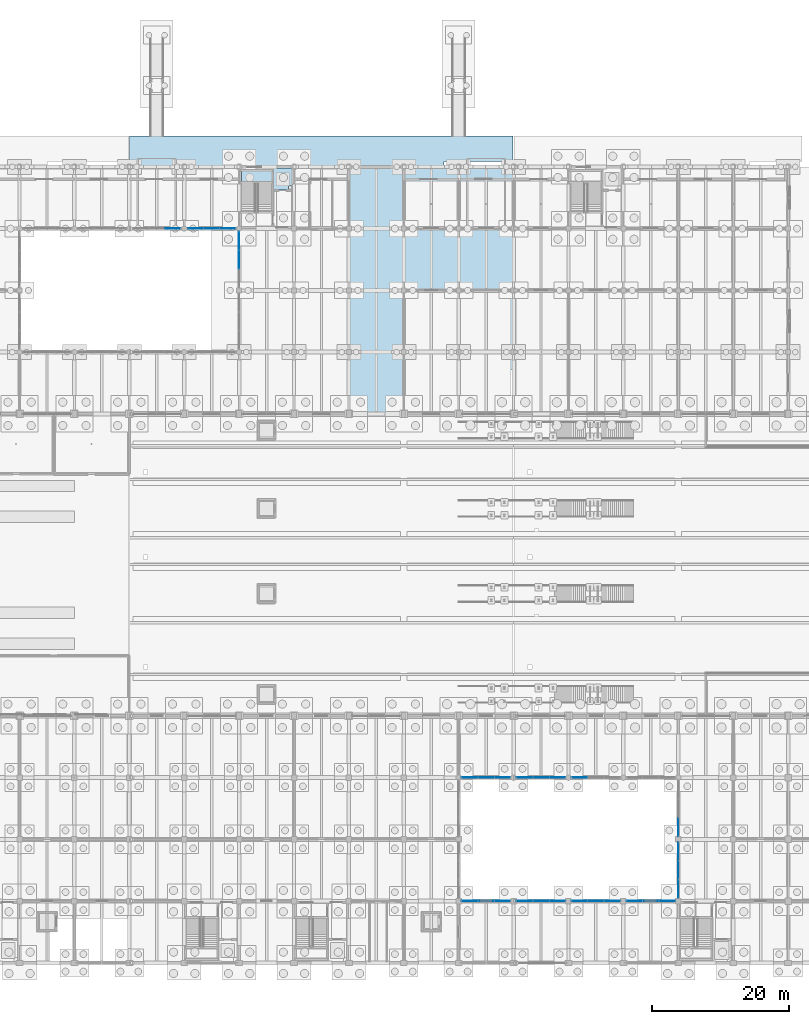
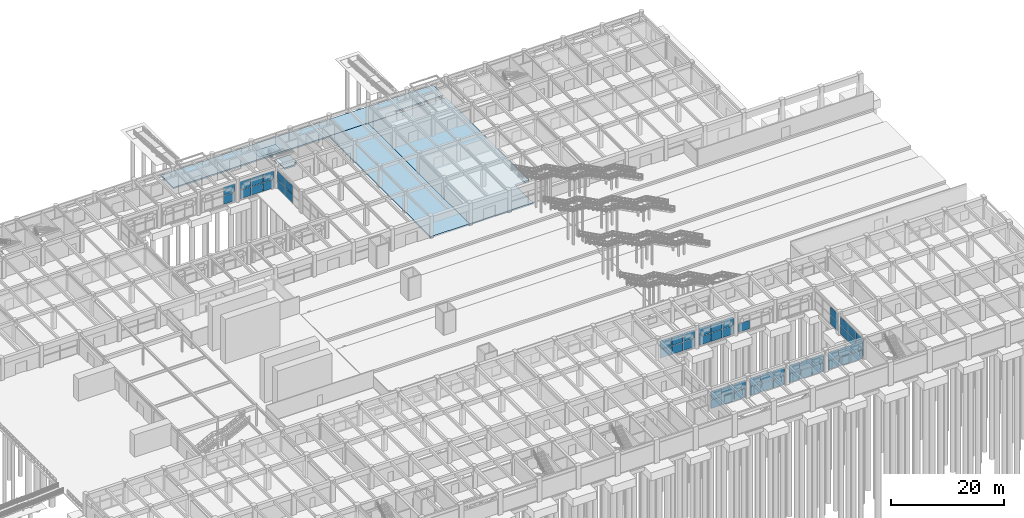
# One storey, part 94 of 147: 57 plates, 5 slabs, 13 elements without a shape of their own.
"""IFC4 building model written with IfcOpenShell, lengths in metres."""

from ifc_helpers import new_model, si_unit, direction, frame, origin, origin_2d, place, context, subcontext, project, spatial, polyline, rectangle, outline, extrude, material, layer, layer_set, type_object, element, aggregate, save


model = new_model("IFC4")

# Units and contexts
model_context = context("Model", 3, precision=1e-05, world=origin(), true_north=direction((0.0, 1.0)))
body_context = subcontext(model_context, "Body", "Model", "MODEL_VIEW")
ifc_project = project(units=[si_unit("LENGTHUNIT", "METRE"), si_unit("AREAUNIT", "SQUARE_METRE"), si_unit("VOLUMEUNIT", "CUBIC_METRE"), si_unit("PLANEANGLEUNIT", "RADIAN"), si_unit("MASSUNIT", "GRAM", prefix="KILO")], contexts=[model_context])

# Site, building, storey
site_placement = place(None, origin())
site = spatial("IfcSite", under=ifc_project, at=site_placement, CompositionType="ELEMENT")
building_placement = place(site_placement, origin())
building = spatial("IfcBuilding", under=site, at=building_placement, Name="Varnabhumi Central Station", CompositionType="ELEMENT")
storey_placement = place(building_placement, origin())
storey = spatial("IfcBuildingStorey", under=building, at=storey_placement, Name="L00", CompositionType="ELEMENT", Elevation=0.0)

# Curtain wall, plates
ifc_material_1 = material(Name="Anodised aluminium 6063-T6", Category="aluminium")
curtain_wall_type = type_object("IfcCurtainWallType", Name="CW-PATIO-LOGGIA-L0", PredefinedType="NOTDEFINED", material=ifc_material_1)
curtain_wall_1_placement = place(storey_placement, origin())
curtain_wall_1 = element("IfcCurtainWall", 1, at=curtain_wall_1_placement, inside=storey, type_object=curtain_wall_type, Name="Curtain Wall CW-NP0W2", PredefinedType="NOTDEFINED")
ifc_material_2 = material(Name="Laminated low-E double glazing", Category="glass")
ifc_layer_1 = layer(ifc_material_2, 0.035888671875, Name="Laminated low-E double glazing", Category="glass")
ifc_layer_set_1 = layer_set([ifc_layer_1], Name="Laminated low-E double glazing")
plate_type_1 = type_object("IfcPlateType", Name="CW-PNL-GLZ-2", PredefinedType="CURTAIN_PANEL", material=ifc_layer_set_1)
plate_1_placement = place(storey_placement, frame((80.0, 102.5, 0.0400390625), z_axis=(0.0, 0.0, 1.0), x_axis=(0.0, 1.0, 0.0)))
plate_1 = element("IfcPlate", 2, at=plate_1_placement, type_object=plate_type_1, Name="Glazed Panel CW-NP0W2-P21", PredefinedType="CURTAIN_PANEL", context=body_context, shape_type="SweptSolid", body=[
    extrude(rectangle(XDim=2.639892578125, YDim=0.035888671875, at=origin_2d()), origin(), (0.0, 0.0, 1.0), 1.840087890625),
])
plate_2_placement = place(storey_placement, frame((80.0, 102.5, 1.9599609375), z_axis=(0.0, 0.0, 1.0), x_axis=(0.0, 1.0, 0.0)))
plate_2 = element("IfcPlate", 3, at=plate_2_placement, type_object=plate_type_1, Name="Glazed Panel CW-NP0W2-P22", PredefinedType="CURTAIN_PANEL", context=body_context, shape_type="SweptSolid", body=[
    extrude(rectangle(XDim=2.639892578125, YDim=0.035888671875, at=origin_2d()), origin(), (0.0, 0.0, 1.0), 1.840087890625),
])
plate_3_placement = place(storey_placement, frame((80.0, 105.219970703125, 0.0400390625), z_axis=(0.0, 0.0, 1.0), x_axis=(0.0, 1.0, 0.0)))
plate_3 = element("IfcPlate", 4, at=plate_3_placement, type_object=plate_type_1, Name="Glazed Panel CW-NP0W2-P31", PredefinedType="CURTAIN_PANEL", context=body_context, shape_type="SweptSolid", body=[
    extrude(rectangle(XDim=2.639892578125, YDim=0.035888671875, at=origin_2d()), origin(), (0.0, 0.0, 1.0), 1.840087890625),
])
plate_4_placement = place(storey_placement, frame((80.0, 105.219970703125, 1.9599609375), z_axis=(0.0, 0.0, 1.0), x_axis=(0.0, 1.0, 0.0)))
plate_4 = element("IfcPlate", 5, at=plate_4_placement, type_object=plate_type_1, Name="Glazed Panel CW-NP0W2-P32", PredefinedType="CURTAIN_PANEL", context=body_context, shape_type="SweptSolid", body=[
    extrude(rectangle(XDim=2.639892578125, YDim=0.035888671875, at=origin_2d()), origin(), (0.0, 0.0, 1.0), 1.840087890625),
])
aggregate(curtain_wall_1, [plate_1, plate_2, plate_3, plate_4])

curtain_wall_2_placement = place(storey_placement, origin())
curtain_wall_2 = element("IfcCurtainWall", 6, at=curtain_wall_2_placement, inside=storey, type_object=curtain_wall_type, Name="Curtain Wall CW-NP0N3", PredefinedType="NOTDEFINED")
ifc_layer_2 = layer(ifc_material_2, 0.035888671875, Name="Laminated low-E double glazing", Category="glass")
ifc_layer_set_2 = layer_set([ifc_layer_2], Name="Laminated low-E double glazing")
plate_type_2 = type_object("IfcPlateType", Name="CW-PNL-GLZ-3", PredefinedType="CURTAIN_PANEL", material=ifc_layer_set_2)
plate_5_placement = place(storey_placement, frame((70.320068359375, 107.0, 0.0400390625), z_axis=(0.0, 0.0, 1.0), x_axis=(1.0, 0.0, 0.0)))
plate_5 = element("IfcPlate", 7, at=plate_5_placement, type_object=plate_type_2, Name="Glazed Panel CW-NP0N3-P31", PredefinedType="CURTAIN_PANEL", context=body_context, shape_type="SweptSolid", body=[
    extrude(rectangle(XDim=2.239990234375, YDim=0.035888671875, at=origin_2d()), origin(), (0.0, 0.0, 1.0), 1.840087890625),
])
plate_6_placement = place(storey_placement, frame((70.320068359375, 107.0, 1.9599609375), z_axis=(0.0, 0.0, 1.0), x_axis=(1.0, 0.0, 0.0)))
plate_6 = element("IfcPlate", 8, at=plate_6_placement, type_object=plate_type_2, Name="Glazed Panel CW-NP0N3-P32", PredefinedType="CURTAIN_PANEL", context=body_context, shape_type="SweptSolid", body=[
    extrude(rectangle(XDim=2.239990234375, YDim=0.035888671875, at=origin_2d()), origin(), (0.0, 0.0, 1.0), 1.840087890625),
])
aggregate(curtain_wall_2, [plate_5, plate_6])

curtain_wall_3_placement = place(storey_placement, origin())
curtain_wall_3 = element("IfcCurtainWall", 9, at=curtain_wall_3_placement, inside=storey, type_object=curtain_wall_type, Name="Curtain Wall CW-SP0W1", PredefinedType="NOTDEFINED")
plate_7_placement = place(storey_placement, frame((144.0, 10.780029296875, 0.0400390625), z_axis=(0.0, 0.0, 1.0), x_axis=(0.0, 1.0, 0.0)))
plate_7 = element("IfcPlate", 10, at=plate_7_placement, type_object=plate_type_2, Name="Glazed Panel CW-SP0W1-P11", PredefinedType="CURTAIN_PANEL", context=body_context, shape_type="SweptSolid", body=[
    extrude(rectangle(XDim=2.639892578125, YDim=0.035888671875, at=origin_2d()), origin(), (0.0, 0.0, 1.0), 1.840087890625),
])
plate_8_placement = place(storey_placement, frame((144.0, 10.780029296875, 1.9599609375), z_axis=(0.0, 0.0, 1.0), x_axis=(0.0, 1.0, 0.0)))
plate_8 = element("IfcPlate", 11, at=plate_8_placement, type_object=plate_type_2, Name="Glazed Panel CW-SP0W1-P12", PredefinedType="CURTAIN_PANEL", context=body_context, shape_type="SweptSolid", body=[
    extrude(rectangle(XDim=2.639892578125, YDim=0.035888671875, at=origin_2d()), origin(), (0.0, 0.0, 1.0), 1.840087890625),
])
plate_9_placement = place(storey_placement, frame((144.0, 13.5, 0.0400390625), z_axis=(0.0, 0.0, 1.0), x_axis=(0.0, 1.0, 0.0)))
plate_9 = element("IfcPlate", 12, at=plate_9_placement, type_object=plate_type_2, Name="Glazed Panel CW-SP0W1-P21", PredefinedType="CURTAIN_PANEL", context=body_context, shape_type="SweptSolid", body=[
    extrude(rectangle(XDim=2.639892578125, YDim=0.035888671875, at=origin_2d()), origin(), (0.0, 0.0, 1.0), 1.840087890625),
])
plate_10_placement = place(storey_placement, frame((144.0, 13.5, 1.9599609375), z_axis=(0.0, 0.0, 1.0), x_axis=(0.0, 1.0, 0.0)))
plate_10 = element("IfcPlate", 13, at=plate_10_placement, type_object=plate_type_2, Name="Glazed Panel CW-SP0W1-P22", PredefinedType="CURTAIN_PANEL", context=body_context, shape_type="SweptSolid", body=[
    extrude(rectangle(XDim=2.639892578125, YDim=0.035888671875, at=origin_2d()), origin(), (0.0, 0.0, 1.0), 1.840087890625),
])
plate_11_placement = place(storey_placement, frame((144.0, 16.219970703125, 0.0400390625), z_axis=(0.0, 0.0, 1.0), x_axis=(0.0, 1.0, 0.0)))
plate_11 = element("IfcPlate", 14, at=plate_11_placement, type_object=plate_type_2, Name="Glazed Panel CW-SP0W1-P31", PredefinedType="CURTAIN_PANEL", context=body_context, shape_type="SweptSolid", body=[
    extrude(rectangle(XDim=2.639892578125, YDim=0.035888671875, at=origin_2d()), origin(), (0.0, 0.0, 1.0), 1.840087890625),
])
plate_12_placement = place(storey_placement, frame((144.0, 16.219970703125, 1.9599609375), z_axis=(0.0, 0.0, 1.0), x_axis=(0.0, 1.0, 0.0)))
plate_12 = element("IfcPlate", 15, at=plate_12_placement, type_object=plate_type_2, Name="Glazed Panel CW-SP0W1-P32", PredefinedType="CURTAIN_PANEL", context=body_context, shape_type="SweptSolid", body=[
    extrude(rectangle(XDim=2.639892578125, YDim=0.035888671875, at=origin_2d()), origin(), (0.0, 0.0, 1.0), 1.840087890625),
])
aggregate(curtain_wall_3, [plate_7, plate_8, plate_9, plate_10, plate_11, plate_12])

curtain_wall_4_placement = place(storey_placement, origin())
curtain_wall_4 = element("IfcCurtainWall", 16, at=curtain_wall_4_placement, inside=storey, type_object=curtain_wall_type, Name="Curtain Wall CW-SP0W2", PredefinedType="NOTDEFINED")
plate_13_placement = place(storey_placement, frame((144.0, 19.780029296875, 0.0400390625), z_axis=(0.0, 0.0, 1.0), x_axis=(0.0, 1.0, 0.0)))
plate_13 = element("IfcPlate", 17, at=plate_13_placement, type_object=plate_type_2, Name="Glazed Panel CW-SP0W2-P11", PredefinedType="CURTAIN_PANEL", context=body_context, shape_type="SweptSolid", body=[
    extrude(rectangle(XDim=2.639892578125, YDim=0.035888671875, at=origin_2d()), origin(), (0.0, 0.0, 1.0), 1.840087890625),
])
plate_14_placement = place(storey_placement, frame((144.0, 19.780029296875, 1.9599609375), z_axis=(0.0, 0.0, 1.0), x_axis=(0.0, 1.0, 0.0)))
plate_14 = element("IfcPlate", 18, at=plate_14_placement, type_object=plate_type_2, Name="Glazed Panel CW-SP0W2-P12", PredefinedType="CURTAIN_PANEL", context=body_context, shape_type="SweptSolid", body=[
    extrude(rectangle(XDim=2.639892578125, YDim=0.035888671875, at=origin_2d()), origin(), (0.0, 0.0, 1.0), 1.840087890625),
])
aggregate(curtain_wall_4, [plate_13, plate_14])

curtain_wall_5_placement = place(storey_placement, origin())
curtain_wall_5 = element("IfcCurtainWall", 19, at=curtain_wall_5_placement, inside=storey, type_object=curtain_wall_type, Name="Curtain Wall CW-NP0N4", PredefinedType="NOTDEFINED")
ifc_layer_3 = layer(ifc_material_2, 0.035888671875, Name="Laminated low-E double glazing", Category="glass")
ifc_layer_set_3 = layer_set([ifc_layer_3], Name="Laminated low-E double glazing")
plate_type_3 = type_object("IfcPlateType", Name="CW-PNL-GLZ-4", PredefinedType="CURTAIN_PANEL", material=ifc_layer_set_3)
plate_15_placement = place(storey_placement, frame((73.679931640625, 107.0, 0.0400390625), z_axis=(0.0, 0.0, 1.0), x_axis=(1.0, 0.0, 0.0)))
plate_15 = element("IfcPlate", 20, at=plate_15_placement, type_object=plate_type_3, Name="Glazed Panel CW-NP0N4-P11", PredefinedType="CURTAIN_PANEL", context=body_context, shape_type="SweptSolid", body=[
    extrude(rectangle(XDim=2.239990234375, YDim=0.035888671875, at=origin_2d()), origin(), (0.0, 0.0, 1.0), 1.840087890625),
])
plate_16_placement = place(storey_placement, frame((73.679931640625, 107.0, 1.9599609375), z_axis=(0.0, 0.0, 1.0), x_axis=(1.0, 0.0, 0.0)))
plate_16 = element("IfcPlate", 21, at=plate_16_placement, type_object=plate_type_3, Name="Glazed Panel CW-NP0N4-P12", PredefinedType="CURTAIN_PANEL", context=body_context, shape_type="SweptSolid", body=[
    extrude(rectangle(XDim=2.239990234375, YDim=0.035888671875, at=origin_2d()), origin(), (0.0, 0.0, 1.0), 1.840087890625),
])
plate_17_placement = place(storey_placement, frame((76.0, 107.0, 0.0400390625), z_axis=(0.0, 0.0, 1.0), x_axis=(1.0, 0.0, 0.0)))
plate_17 = element("IfcPlate", 22, at=plate_17_placement, type_object=plate_type_3, Name="Glazed Panel CW-NP0N4-P21", PredefinedType="CURTAIN_PANEL", context=body_context, shape_type="SweptSolid", body=[
    extrude(rectangle(XDim=2.239990234375, YDim=0.035888671875, at=origin_2d()), origin(), (0.0, 0.0, 1.0), 1.840087890625),
])
plate_18_placement = place(storey_placement, frame((76.0, 107.0, 1.9599609375), z_axis=(0.0, 0.0, 1.0), x_axis=(1.0, 0.0, 0.0)))
plate_18 = element("IfcPlate", 23, at=plate_18_placement, type_object=plate_type_3, Name="Glazed Panel CW-NP0N4-P22", PredefinedType="CURTAIN_PANEL", context=body_context, shape_type="SweptSolid", body=[
    extrude(rectangle(XDim=2.239990234375, YDim=0.035888671875, at=origin_2d()), origin(), (0.0, 0.0, 1.0), 1.840087890625),
])
plate_19_placement = place(storey_placement, frame((78.320068359375, 107.0, 0.0400390625), z_axis=(0.0, 0.0, 1.0), x_axis=(1.0, 0.0, 0.0)))
plate_19 = element("IfcPlate", 24, at=plate_19_placement, type_object=plate_type_3, Name="Glazed Panel CW-NP0N4-P31", PredefinedType="CURTAIN_PANEL", context=body_context, shape_type="SweptSolid", body=[
    extrude(rectangle(XDim=2.239990234375, YDim=0.035888671875, at=origin_2d()), origin(), (0.0, 0.0, 1.0), 1.840087890625),
])
plate_20_placement = place(storey_placement, frame((78.320068359375, 107.0, 1.9599609375), z_axis=(0.0, 0.0, 1.0), x_axis=(1.0, 0.0, 0.0)))
plate_20 = element("IfcPlate", 25, at=plate_20_placement, type_object=plate_type_3, Name="Glazed Panel CW-NP0N4-P32", PredefinedType="CURTAIN_PANEL", context=body_context, shape_type="SweptSolid", body=[
    extrude(rectangle(XDim=2.239990234375, YDim=0.035888671875, at=origin_2d()), origin(), (0.0, 0.0, 1.0), 1.840087890625),
])
aggregate(curtain_wall_5, [plate_15, plate_16, plate_17, plate_18, plate_19, plate_20])

curtain_wall_6_placement = place(storey_placement, origin())
curtain_wall_6 = element("IfcCurtainWall", 26, at=curtain_wall_6_placement, inside=storey, type_object=curtain_wall_type, Name="Curtain Wall CW-SP0S1", PredefinedType="NOTDEFINED")
plate_21_placement = place(storey_placement, frame((113.61328125, 9.0, 0.0400390625), z_axis=(0.0, 0.0, 1.0), x_axis=(1.0, 0.0, 0.0)))
plate_21 = element("IfcPlate", 27, at=plate_21_placement, type_object=plate_type_3, Name="Glazed Panel CW-SP0S1-P11", PredefinedType="CURTAIN_PANEL", context=body_context, shape_type="SweptSolid", body=[
    extrude(rectangle(XDim=2.306640625, YDim=0.035888671875, at=origin_2d()), origin(), (0.0, 0.0, 1.0), 1.840087890625),
])
plate_22_placement = place(storey_placement, frame((113.61328125, 9.0, 1.9599609375), z_axis=(0.0, 0.0, 1.0), x_axis=(1.0, 0.0, 0.0)))
plate_22 = element("IfcPlate", 28, at=plate_22_placement, type_object=plate_type_3, Name="Glazed Panel CW-SP0S1-P12", PredefinedType="CURTAIN_PANEL", context=body_context, shape_type="SweptSolid", body=[
    extrude(rectangle(XDim=2.306640625, YDim=0.035888671875, at=origin_2d()), origin(), (0.0, 0.0, 1.0), 1.840087890625),
])
plate_23_placement = place(storey_placement, frame((116.0, 9.0, 0.0400390625), z_axis=(0.0, 0.0, 1.0), x_axis=(1.0, 0.0, 0.0)))
plate_23 = element("IfcPlate", 29, at=plate_23_placement, type_object=plate_type_3, Name="Glazed Panel CW-SP0S1-P21", PredefinedType="CURTAIN_PANEL", context=body_context, shape_type="SweptSolid", body=[
    extrude(rectangle(XDim=2.306640625, YDim=0.035888671875, at=origin_2d()), origin(), (0.0, 0.0, 1.0), 1.840087890625),
])
plate_24_placement = place(storey_placement, frame((116.0, 9.0, 1.9599609375), z_axis=(0.0, 0.0, 1.0), x_axis=(1.0, 0.0, 0.0)))
plate_24 = element("IfcPlate", 30, at=plate_24_placement, type_object=plate_type_3, Name="Glazed Panel CW-SP0S1-P22", PredefinedType="CURTAIN_PANEL", context=body_context, shape_type="SweptSolid", body=[
    extrude(rectangle(XDim=2.306640625, YDim=0.035888671875, at=origin_2d()), origin(), (0.0, 0.0, 1.0), 1.840087890625),
])
plate_25_placement = place(storey_placement, frame((118.38671875, 9.0, 0.0400390625), z_axis=(0.0, 0.0, 1.0), x_axis=(1.0, 0.0, 0.0)))
plate_25 = element("IfcPlate", 31, at=plate_25_placement, type_object=plate_type_3, Name="Glazed Panel CW-SP0S1-P31", PredefinedType="CURTAIN_PANEL", context=body_context, shape_type="SweptSolid", body=[
    extrude(rectangle(XDim=2.306640625, YDim=0.035888671875, at=origin_2d()), origin(), (0.0, 0.0, 1.0), 1.840087890625),
])
plate_26_placement = place(storey_placement, frame((118.38671875, 9.0, 1.9599609375), z_axis=(0.0, 0.0, 1.0), x_axis=(1.0, 0.0, 0.0)))
plate_26 = element("IfcPlate", 32, at=plate_26_placement, type_object=plate_type_3, Name="Glazed Panel CW-SP0S1-P32", PredefinedType="CURTAIN_PANEL", context=body_context, shape_type="SweptSolid", body=[
    extrude(rectangle(XDim=2.306640625, YDim=0.035888671875, at=origin_2d()), origin(), (0.0, 0.0, 1.0), 1.840087890625),
])
aggregate(curtain_wall_6, [plate_21, plate_22, plate_23, plate_24, plate_25, plate_26])

curtain_wall_7_placement = place(storey_placement, origin())
curtain_wall_7 = element("IfcCurtainWall", 33, at=curtain_wall_7_placement, inside=storey, type_object=curtain_wall_type, Name="Curtain Wall CW-SP0N1", PredefinedType="NOTDEFINED")
plate_27_placement = place(storey_placement, frame((113.61328125, 27.0, 0.0400390625), z_axis=(0.0, 0.0, 1.0), x_axis=(1.0, 0.0, 0.0)))
plate_27 = element("IfcPlate", 34, at=plate_27_placement, type_object=plate_type_3, Name="Glazed Panel CW-SP0N1-P11", PredefinedType="CURTAIN_PANEL", context=body_context, shape_type="SweptSolid", body=[
    extrude(rectangle(XDim=2.306640625, YDim=0.035888671875, at=origin_2d()), origin(), (0.0, 0.0, 1.0), 1.840087890625),
])
plate_28_placement = place(storey_placement, frame((113.61328125, 27.0, 1.9599609375), z_axis=(0.0, 0.0, 1.0), x_axis=(1.0, 0.0, 0.0)))
plate_28 = element("IfcPlate", 35, at=plate_28_placement, type_object=plate_type_3, Name="Glazed Panel CW-SP0N1-P12", PredefinedType="CURTAIN_PANEL", context=body_context, shape_type="SweptSolid", body=[
    extrude(rectangle(XDim=2.306640625, YDim=0.035888671875, at=origin_2d()), origin(), (0.0, 0.0, 1.0), 1.840087890625),
])
plate_29_placement = place(storey_placement, frame((116.0, 27.0, 0.0400390625), z_axis=(0.0, 0.0, 1.0), x_axis=(1.0, 0.0, 0.0)))
plate_29 = element("IfcPlate", 36, at=plate_29_placement, type_object=plate_type_3, Name="Glazed Panel CW-SP0N1-P21", PredefinedType="CURTAIN_PANEL", context=body_context, shape_type="SweptSolid", body=[
    extrude(rectangle(XDim=2.306640625, YDim=0.035888671875, at=origin_2d()), origin(), (0.0, 0.0, 1.0), 1.840087890625),
])
plate_30_placement = place(storey_placement, frame((116.0, 27.0, 1.9599609375), z_axis=(0.0, 0.0, 1.0), x_axis=(1.0, 0.0, 0.0)))
plate_30 = element("IfcPlate", 37, at=plate_30_placement, type_object=plate_type_3, Name="Glazed Panel CW-SP0N1-P22", PredefinedType="CURTAIN_PANEL", context=body_context, shape_type="SweptSolid", body=[
    extrude(rectangle(XDim=2.306640625, YDim=0.035888671875, at=origin_2d()), origin(), (0.0, 0.0, 1.0), 1.840087890625),
])
plate_31_placement = place(storey_placement, frame((118.38671875, 27.0, 0.0400390625), z_axis=(0.0, 0.0, 1.0), x_axis=(1.0, 0.0, 0.0)))
plate_31 = element("IfcPlate", 38, at=plate_31_placement, type_object=plate_type_3, Name="Glazed Panel CW-SP0N1-P31", PredefinedType="CURTAIN_PANEL", context=body_context, shape_type="SweptSolid", body=[
    extrude(rectangle(XDim=2.306640625, YDim=0.035888671875, at=origin_2d()), origin(), (0.0, 0.0, 1.0), 1.840087890625),
])
plate_32_placement = place(storey_placement, frame((118.38671875, 27.0, 1.9599609375), z_axis=(0.0, 0.0, 1.0), x_axis=(1.0, 0.0, 0.0)))
plate_32 = element("IfcPlate", 39, at=plate_32_placement, type_object=plate_type_3, Name="Glazed Panel CW-SP0N1-P32", PredefinedType="CURTAIN_PANEL", context=body_context, shape_type="SweptSolid", body=[
    extrude(rectangle(XDim=2.306640625, YDim=0.035888671875, at=origin_2d()), origin(), (0.0, 0.0, 1.0), 1.840087890625),
])
aggregate(curtain_wall_7, [plate_27, plate_28, plate_29, plate_30, plate_31, plate_32])

curtain_wall_8_placement = place(storey_placement, origin())
curtain_wall_8 = element("IfcCurtainWall", 40, at=curtain_wall_8_placement, inside=storey, type_object=curtain_wall_type, Name="Curtain Wall CW-SP0S2", PredefinedType="NOTDEFINED")
ifc_layer_4 = layer(ifc_material_2, 0.035888671875, Name="Laminated low-E double glazing", Category="glass")
ifc_layer_set_4 = layer_set([ifc_layer_4], Name="Laminated low-E double glazing")
plate_type_4 = type_object("IfcPlateType", Name="CW-PNL-GLZ-5", PredefinedType="CURTAIN_PANEL", material=ifc_layer_set_4)
plate_33_placement = place(storey_placement, frame((121.61328125, 9.0, 0.0400390625), z_axis=(0.0, 0.0, 1.0), x_axis=(1.0, 0.0, 0.0)))
plate_33 = element("IfcPlate", 41, at=plate_33_placement, type_object=plate_type_4, Name="Glazed Panel CW-SP0S2-P11", PredefinedType="CURTAIN_PANEL", context=body_context, shape_type="SweptSolid", body=[
    extrude(rectangle(XDim=2.306640625, YDim=0.035888671875, at=origin_2d()), origin(), (0.0, 0.0, 1.0), 1.840087890625),
])
plate_34_placement = place(storey_placement, frame((121.61328125, 9.0, 1.9599609375), z_axis=(0.0, 0.0, 1.0), x_axis=(1.0, 0.0, 0.0)))
plate_34 = element("IfcPlate", 42, at=plate_34_placement, type_object=plate_type_4, Name="Glazed Panel CW-SP0S2-P12", PredefinedType="CURTAIN_PANEL", context=body_context, shape_type="SweptSolid", body=[
    extrude(rectangle(XDim=2.306640625, YDim=0.035888671875, at=origin_2d()), origin(), (0.0, 0.0, 1.0), 1.840087890625),
])
plate_35_placement = place(storey_placement, frame((124.0, 9.0, 0.0400390625), z_axis=(0.0, 0.0, 1.0), x_axis=(1.0, 0.0, 0.0)))
plate_35 = element("IfcPlate", 43, at=plate_35_placement, type_object=plate_type_4, Name="Glazed Panel CW-SP0S2-P21", PredefinedType="CURTAIN_PANEL", context=body_context, shape_type="SweptSolid", body=[
    extrude(rectangle(XDim=2.306640625, YDim=0.035888671875, at=origin_2d()), origin(), (0.0, 0.0, 1.0), 1.840087890625),
])
plate_36_placement = place(storey_placement, frame((124.0, 9.0, 1.9599609375), z_axis=(0.0, 0.0, 1.0), x_axis=(1.0, 0.0, 0.0)))
plate_36 = element("IfcPlate", 44, at=plate_36_placement, type_object=plate_type_4, Name="Glazed Panel CW-SP0S2-P22", PredefinedType="CURTAIN_PANEL", context=body_context, shape_type="SweptSolid", body=[
    extrude(rectangle(XDim=2.306640625, YDim=0.035888671875, at=origin_2d()), origin(), (0.0, 0.0, 1.0), 1.840087890625),
])
plate_37_placement = place(storey_placement, frame((126.38671875, 9.0, 0.0400390625), z_axis=(0.0, 0.0, 1.0), x_axis=(1.0, 0.0, 0.0)))
plate_37 = element("IfcPlate", 45, at=plate_37_placement, type_object=plate_type_4, Name="Glazed Panel CW-SP0S2-P31", PredefinedType="CURTAIN_PANEL", context=body_context, shape_type="SweptSolid", body=[
    extrude(rectangle(XDim=2.306640625, YDim=0.035888671875, at=origin_2d()), origin(), (0.0, 0.0, 1.0), 1.840087890625),
])
plate_38_placement = place(storey_placement, frame((126.38671875, 9.0, 1.9599609375), z_axis=(0.0, 0.0, 1.0), x_axis=(1.0, 0.0, 0.0)))
plate_38 = element("IfcPlate", 46, at=plate_38_placement, type_object=plate_type_4, Name="Glazed Panel CW-SP0S2-P32", PredefinedType="CURTAIN_PANEL", context=body_context, shape_type="SweptSolid", body=[
    extrude(rectangle(XDim=2.306640625, YDim=0.035888671875, at=origin_2d()), origin(), (0.0, 0.0, 1.0), 1.840087890625),
])
aggregate(curtain_wall_8, [plate_33, plate_34, plate_35, plate_36, plate_37, plate_38])

curtain_wall_9_placement = place(storey_placement, origin())
curtain_wall_9 = element("IfcCurtainWall", 47, at=curtain_wall_9_placement, inside=storey, type_object=curtain_wall_type, Name="Curtain Wall CW-SP0N2", PredefinedType="NOTDEFINED")
plate_39_placement = place(storey_placement, frame((121.61328125, 27.0, 0.0400390625), z_axis=(0.0, 0.0, 1.0), x_axis=(1.0, 0.0, 0.0)))
plate_39 = element("IfcPlate", 48, at=plate_39_placement, type_object=plate_type_4, Name="Glazed Panel CW-SP0N2-P11", PredefinedType="CURTAIN_PANEL", context=body_context, shape_type="SweptSolid", body=[
    extrude(rectangle(XDim=2.306640625, YDim=0.035888671875, at=origin_2d()), origin(), (0.0, 0.0, 1.0), 1.840087890625),
])
plate_40_placement = place(storey_placement, frame((121.61328125, 27.0, 1.9599609375), z_axis=(0.0, 0.0, 1.0), x_axis=(1.0, 0.0, 0.0)))
plate_40 = element("IfcPlate", 49, at=plate_40_placement, type_object=plate_type_4, Name="Glazed Panel CW-SP0N2-P12", PredefinedType="CURTAIN_PANEL", context=body_context, shape_type="SweptSolid", body=[
    extrude(rectangle(XDim=2.306640625, YDim=0.035888671875, at=origin_2d()), origin(), (0.0, 0.0, 1.0), 1.840087890625),
])
plate_41_placement = place(storey_placement, frame((124.0, 27.0, 0.0400390625), z_axis=(0.0, 0.0, 1.0), x_axis=(1.0, 0.0, 0.0)))
plate_41 = element("IfcPlate", 50, at=plate_41_placement, type_object=plate_type_4, Name="Glazed Panel CW-SP0N2-P21", PredefinedType="CURTAIN_PANEL", context=body_context, shape_type="SweptSolid", body=[
    extrude(rectangle(XDim=2.306640625, YDim=0.035888671875, at=origin_2d()), origin(), (0.0, 0.0, 1.0), 1.840087890625),
])
plate_42_placement = place(storey_placement, frame((124.0, 27.0, 1.9599609375), z_axis=(0.0, 0.0, 1.0), x_axis=(1.0, 0.0, 0.0)))
plate_42 = element("IfcPlate", 51, at=plate_42_placement, type_object=plate_type_4, Name="Glazed Panel CW-SP0N2-P22", PredefinedType="CURTAIN_PANEL", context=body_context, shape_type="SweptSolid", body=[
    extrude(rectangle(XDim=2.306640625, YDim=0.035888671875, at=origin_2d()), origin(), (0.0, 0.0, 1.0), 1.840087890625),
])
plate_43_placement = place(storey_placement, frame((126.38671875, 27.0, 0.0400390625), z_axis=(0.0, 0.0, 1.0), x_axis=(1.0, 0.0, 0.0)))
plate_43 = element("IfcPlate", 52, at=plate_43_placement, type_object=plate_type_4, Name="Glazed Panel CW-SP0N2-P31", PredefinedType="CURTAIN_PANEL", context=body_context, shape_type="SweptSolid", body=[
    extrude(rectangle(XDim=2.306640625, YDim=0.035888671875, at=origin_2d()), origin(), (0.0, 0.0, 1.0), 1.840087890625),
])
plate_44_placement = place(storey_placement, frame((126.38671875, 27.0, 1.9599609375), z_axis=(0.0, 0.0, 1.0), x_axis=(1.0, 0.0, 0.0)))
plate_44 = element("IfcPlate", 53, at=plate_44_placement, type_object=plate_type_4, Name="Glazed Panel CW-SP0N2-P32", PredefinedType="CURTAIN_PANEL", context=body_context, shape_type="SweptSolid", body=[
    extrude(rectangle(XDim=2.306640625, YDim=0.035888671875, at=origin_2d()), origin(), (0.0, 0.0, 1.0), 1.840087890625),
])
aggregate(curtain_wall_9, [plate_39, plate_40, plate_41, plate_42, plate_43, plate_44])

curtain_wall_10_placement = place(storey_placement, origin())
curtain_wall_10 = element("IfcCurtainWall", 54, at=curtain_wall_10_placement, inside=storey, type_object=curtain_wall_type, Name="Curtain Wall CW-SP0S3", PredefinedType="NOTDEFINED")
ifc_layer_5 = layer(ifc_material_2, 0.035888671875, Name="Laminated low-E double glazing", Category="glass")
ifc_layer_set_5 = layer_set([ifc_layer_5], Name="Laminated low-E double glazing")
plate_type_5 = type_object("IfcPlateType", Name="CW-PNL-GLZ-6", PredefinedType="CURTAIN_PANEL", material=ifc_layer_set_5)
plate_45_placement = place(storey_placement, frame((129.61328125, 9.0, 0.0400390625), z_axis=(0.0, 0.0, 1.0), x_axis=(1.0, 0.0, 0.0)))
plate_45 = element("IfcPlate", 55, at=plate_45_placement, type_object=plate_type_5, Name="Glazed Panel CW-SP0S3-P11", PredefinedType="CURTAIN_PANEL", context=body_context, shape_type="SweptSolid", body=[
    extrude(rectangle(XDim=2.306640625, YDim=0.035888671875, at=origin_2d()), origin(), (0.0, 0.0, 1.0), 1.840087890625),
])
plate_46_placement = place(storey_placement, frame((129.61328125, 9.0, 1.9599609375), z_axis=(0.0, 0.0, 1.0), x_axis=(1.0, 0.0, 0.0)))
plate_46 = element("IfcPlate", 56, at=plate_46_placement, type_object=plate_type_5, Name="Glazed Panel CW-SP0S3-P12", PredefinedType="CURTAIN_PANEL", context=body_context, shape_type="SweptSolid", body=[
    extrude(rectangle(XDim=2.306640625, YDim=0.035888671875, at=origin_2d()), origin(), (0.0, 0.0, 1.0), 1.840087890625),
])
plate_47_placement = place(storey_placement, frame((132.0, 9.0, 0.0400390625), z_axis=(0.0, 0.0, 1.0), x_axis=(1.0, 0.0, 0.0)))
plate_47 = element("IfcPlate", 57, at=plate_47_placement, type_object=plate_type_5, Name="Glazed Panel CW-SP0S3-P21", PredefinedType="CURTAIN_PANEL", context=body_context, shape_type="SweptSolid", body=[
    extrude(rectangle(XDim=2.306640625, YDim=0.035888671875, at=origin_2d()), origin(), (0.0, 0.0, 1.0), 1.840087890625),
])
plate_48_placement = place(storey_placement, frame((132.0, 9.0, 1.9599609375), z_axis=(0.0, 0.0, 1.0), x_axis=(1.0, 0.0, 0.0)))
plate_48 = element("IfcPlate", 58, at=plate_48_placement, type_object=plate_type_5, Name="Glazed Panel CW-SP0S3-P22", PredefinedType="CURTAIN_PANEL", context=body_context, shape_type="SweptSolid", body=[
    extrude(rectangle(XDim=2.306640625, YDim=0.035888671875, at=origin_2d()), origin(), (0.0, 0.0, 1.0), 1.840087890625),
])
plate_49_placement = place(storey_placement, frame((134.38671875, 9.0, 0.0400390625), z_axis=(0.0, 0.0, 1.0), x_axis=(1.0, 0.0, 0.0)))
plate_49 = element("IfcPlate", 59, at=plate_49_placement, type_object=plate_type_5, Name="Glazed Panel CW-SP0S3-P31", PredefinedType="CURTAIN_PANEL", context=body_context, shape_type="SweptSolid", body=[
    extrude(rectangle(XDim=2.306640625, YDim=0.035888671875, at=origin_2d()), origin(), (0.0, 0.0, 1.0), 1.840087890625),
])
plate_50_placement = place(storey_placement, frame((134.38671875, 9.0, 1.9599609375), z_axis=(0.0, 0.0, 1.0), x_axis=(1.0, 0.0, 0.0)))
plate_50 = element("IfcPlate", 60, at=plate_50_placement, type_object=plate_type_5, Name="Glazed Panel CW-SP0S3-P32", PredefinedType="CURTAIN_PANEL", context=body_context, shape_type="SweptSolid", body=[
    extrude(rectangle(XDim=2.306640625, YDim=0.035888671875, at=origin_2d()), origin(), (0.0, 0.0, 1.0), 1.840087890625),
])
aggregate(curtain_wall_10, [plate_45, plate_46, plate_47, plate_48, plate_49, plate_50])

# Curtain wall, plate
curtain_wall_11_placement = place(storey_placement, origin())
curtain_wall_11 = element("IfcCurtainWall", 61, at=curtain_wall_11_placement, inside=storey, type_object=curtain_wall_type, Name="Curtain Wall CW-SP0N3", PredefinedType="NOTDEFINED")
plate_51_placement = place(storey_placement, frame((129.61328125, 27.0, 0.0400390625), z_axis=(0.0, 0.0, 1.0), x_axis=(1.0, 0.0, 0.0)))
plate_51 = element("IfcPlate", 62, at=plate_51_placement, type_object=plate_type_5, Name="Glazed Panel CW-SP0N3-P11", PredefinedType="CURTAIN_PANEL", context=body_context, shape_type="SweptSolid", body=[
    extrude(rectangle(XDim=2.306640625, YDim=0.035888671875, at=origin_2d()), origin(), (0.0, 0.0, 1.0), 1.840087890625),
])
aggregate(curtain_wall_11, [plate_51])

# Curtain wall, plates
curtain_wall_12_placement = place(storey_placement, origin())
curtain_wall_12 = element("IfcCurtainWall", 63, at=curtain_wall_12_placement, inside=storey, type_object=curtain_wall_type, Name="Curtain Wall CW-SP0S4", PredefinedType="NOTDEFINED")
ifc_layer_6 = layer(ifc_material_2, 0.035888671875, Name="Laminated low-E double glazing", Category="glass")
ifc_layer_set_6 = layer_set([ifc_layer_6], Name="Laminated low-E double glazing")
plate_type_6 = type_object("IfcPlateType", Name="CW-PNL-GLZ-7", PredefinedType="CURTAIN_PANEL", material=ifc_layer_set_6)
plate_52_placement = place(storey_placement, frame((137.61328125, 9.0, 0.0400390625), z_axis=(0.0, 0.0, 1.0), x_axis=(1.0, 0.0, 0.0)))
plate_52 = element("IfcPlate", 64, at=plate_52_placement, type_object=plate_type_6, Name="Glazed Panel CW-SP0S4-P11", PredefinedType="CURTAIN_PANEL", context=body_context, shape_type="SweptSolid", body=[
    extrude(rectangle(XDim=2.306640625, YDim=0.035888671875, at=origin_2d()), origin(), (0.0, 0.0, 1.0), 1.840087890625),
])
plate_53_placement = place(storey_placement, frame((137.61328125, 9.0, 1.9599609375), z_axis=(0.0, 0.0, 1.0), x_axis=(1.0, 0.0, 0.0)))
plate_53 = element("IfcPlate", 65, at=plate_53_placement, type_object=plate_type_6, Name="Glazed Panel CW-SP0S4-P12", PredefinedType="CURTAIN_PANEL", context=body_context, shape_type="SweptSolid", body=[
    extrude(rectangle(XDim=2.306640625, YDim=0.035888671875, at=origin_2d()), origin(), (0.0, 0.0, 1.0), 1.840087890625),
])
plate_54_placement = place(storey_placement, frame((140.0, 9.0, 0.0400390625), z_axis=(0.0, 0.0, 1.0), x_axis=(1.0, 0.0, 0.0)))
plate_54 = element("IfcPlate", 66, at=plate_54_placement, type_object=plate_type_6, Name="Glazed Panel CW-SP0S4-P21", PredefinedType="CURTAIN_PANEL", context=body_context, shape_type="SweptSolid", body=[
    extrude(rectangle(XDim=2.306640625, YDim=0.035888671875, at=origin_2d()), origin(), (0.0, 0.0, 1.0), 1.840087890625),
])
plate_55_placement = place(storey_placement, frame((140.0, 9.0, 1.9599609375), z_axis=(0.0, 0.0, 1.0), x_axis=(1.0, 0.0, 0.0)))
plate_55 = element("IfcPlate", 67, at=plate_55_placement, type_object=plate_type_6, Name="Glazed Panel CW-SP0S4-P22", PredefinedType="CURTAIN_PANEL", context=body_context, shape_type="SweptSolid", body=[
    extrude(rectangle(XDim=2.306640625, YDim=0.035888671875, at=origin_2d()), origin(), (0.0, 0.0, 1.0), 1.840087890625),
])
plate_56_placement = place(storey_placement, frame((142.38671875, 9.0, 0.0400390625), z_axis=(0.0, 0.0, 1.0), x_axis=(1.0, 0.0, 0.0)))
plate_56 = element("IfcPlate", 68, at=plate_56_placement, type_object=plate_type_6, Name="Glazed Panel CW-SP0S4-P31", PredefinedType="CURTAIN_PANEL", context=body_context, shape_type="SweptSolid", body=[
    extrude(rectangle(XDim=2.306640625, YDim=0.035888671875, at=origin_2d()), origin(), (0.0, 0.0, 1.0), 1.840087890625),
])
plate_57_placement = place(storey_placement, frame((142.38671875, 9.0, 1.9599609375), z_axis=(0.0, 0.0, 1.0), x_axis=(1.0, 0.0, 0.0)))
plate_57 = element("IfcPlate", 69, at=plate_57_placement, type_object=plate_type_6, Name="Glazed Panel CW-SP0S4-P32", PredefinedType="CURTAIN_PANEL", context=body_context, shape_type="SweptSolid", body=[
    extrude(rectangle(XDim=2.306640625, YDim=0.035888671875, at=origin_2d()), origin(), (0.0, 0.0, 1.0), 1.840087890625),
])
aggregate(curtain_wall_12, [plate_52, plate_53, plate_54, plate_55, plate_56, plate_57])

# Slabs
ifc_material_3 = material(Name="Concrete M35", Category="concrete")
ifc_layer_7 = layer(ifc_material_3, 0.300048828125, Name="Concrete M35", Category="concrete")
ifc_layer_set_7 = layer_set([ifc_layer_7], Name="Concrete M35")
slab_type_1 = type_object("IfcSlabType", Name="SLB-PLINTH-300", PredefinedType="BASESLAB", material=ifc_layer_set_7)
slab_1_placement = place(storey_placement, frame((0.0, 0.0, -0.300048828125)))
element("IfcSlab", 70, at=slab_1_placement, inside=storey, type_object=slab_type_1, Name="Cross-Block Public Pedestrian Passage Plinth", PredefinedType="BASESLAB", context=body_context, shape_type="SweptSolid", body=[
    extrude(outline(polyline([(96.0, 80.0), (104.0, 80.0), (104.0, 116.0), (96.0, 116.0), (96.0, 80.0)])), origin(), (0.0, 0.0, 1.0), 0.300048828125),
])
slab_2_placement = place(storey_placement, frame((0.0, 0.0, -0.300048828125)))
element("IfcSlab", 71, at=slab_2_placement, inside=storey, type_object=slab_type_1, Name="North Wing L00 Floor Slab Zone 4", PredefinedType="BASESLAB", context=body_context, shape_type="SweptSolid", body=[
    extrude(outline(polyline([(104.0, 80.0), (117.071044921875, 80.0), (117.071044921875, 86.47998046875), (119.93994140625, 86.47998046875), (119.93994140625, 116.0), (104.0, 116.0), (104.0, 80.0)])), origin(), (0.0, 0.0, 1.0), 0.300048828125),
])
slab_3_placement = place(storey_placement, frame((0.0, 0.0, -0.300048828125)))
element("IfcSlab", 72, at=slab_3_placement, inside=storey, type_object=slab_type_1, Name="Exterior Plinth Walkway north_blvd_m", PredefinedType="BASESLAB", context=body_context, shape_type="SweptSolid", body=[
    extrude(outline(polyline([(64.06005859375, 116.0), (109.882080078125, 116.0), (109.882080078125, 116.81005859375), (119.93994140625, 116.81005859375), (119.93994140625, 120.5), (64.06005859375, 120.5), (64.06005859375, 116.0)])), origin(), (0.0, 0.0, 1.0), 0.300048828125),
])
slab_4_placement = place(storey_placement, frame((0.0, 0.0, -1.35009765625)))
element("IfcSlab", 73, at=slab_4_placement, inside=storey, type_object=slab_type_1, Name="Lift Pit Base PL-7", PredefinedType="BASESLAB", context=body_context, shape_type="SweptSolid", body=[
    extrude(outline(polyline([(84.949951171875, 112.60009765625), (87.199951171875, 112.60009765625), (87.199951171875, 113.199951171875), (87.800048828125, 113.199951171875), (87.800048828125, 115.800048828125), (84.949951171875, 115.800048828125), (84.949951171875, 112.60009765625)])), origin(), (0.0, 0.0, 1.0), 0.300048828125),
])

# Stair, slab
ifc_material_4 = material(Name="Concrete M40", Category="concrete")
stair_type = type_object("IfcStairType", Name="STR-CORE-4800", PredefinedType="DOUBLE_RETURN_STAIR", material=ifc_material_4)
stair_placement = place(storey_placement, origin())
stair = element("IfcStair", 74, at=stair_placement, inside=storey, type_object=stair_type, Name="Core Stair ST-N2 (L00)", PredefinedType="DOUBLE_RETURN_STAIR")
ifc_layer_8 = layer(ifc_material_4, 0.179931640625, Name="Concrete M40", Category="concrete")
ifc_layer_set_8 = layer_set([ifc_layer_8], Name="Concrete M40")
slab_type_2 = type_object("IfcSlabType", Name="SLB-STAIR-LAND", PredefinedType="LANDING", material=ifc_layer_set_8)
slab_5_placement = place(storey_placement, frame((0.0, 0.0, 2.219970703125)))
slab_5 = element("IfcSlab", 75, at=slab_5_placement, type_object=slab_type_2, Name="ST-N2 L00 Half Landing", PredefinedType="LANDING", context=body_context, shape_type="SweptSolid", body=[
    extrude(outline(polyline([(80.340087890625, 113.614990234375), (84.760009765625, 113.614990234375), (84.760009765625, 115.639892578125), (80.340087890625, 115.639892578125), (80.340087890625, 113.614990234375)])), origin(), (0.0, 0.0, 1.0), 0.179931640625),
])
aggregate(stair, [slab_5])

save(model, "model.ifc")
